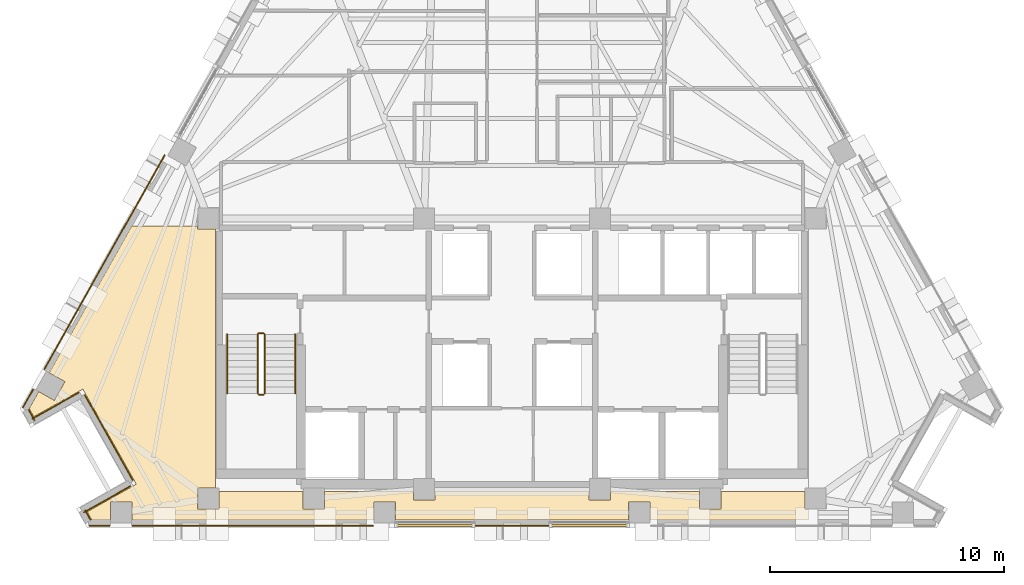
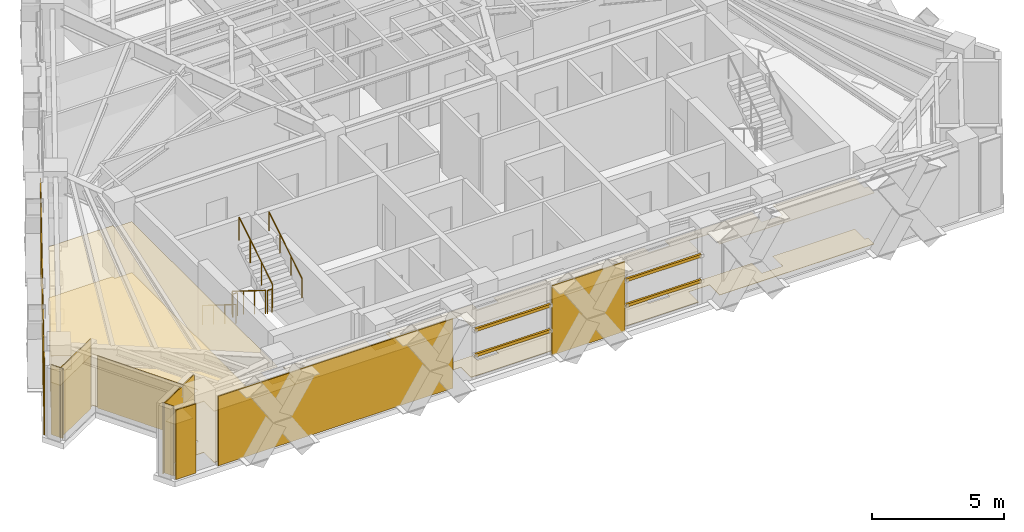
# One storey, part 12 of 15: 14 coverings, 6 railings, 4 shading devices.
"""IFC4 building model written with IfcOpenShell, lengths in metres."""

from ifc_helpers import new_model, si_unit, direction, frame, origin, origin_2d, place, context, subcontext, project, spatial, polyline, rectangle, circle, outline, extrude, material, layer, layer_set, material_profile, profile_set, type_object, element, save


model = new_model("IFC4")

# Units and contexts
model_context = context("Model", 3, precision=1e-05, world=origin(), true_north=direction((0.0, 1.0)))
body_context = subcontext(model_context, "Body", "Model", "MODEL_VIEW")
ifc_project = project(units=[si_unit("LENGTHUNIT", "METRE"), si_unit("AREAUNIT", "SQUARE_METRE"), si_unit("VOLUMEUNIT", "CUBIC_METRE"), si_unit("PLANEANGLEUNIT", "RADIAN"), si_unit("MASSUNIT", "GRAM", prefix="KILO")], contexts=[model_context])

# Site, building, storey
site_placement = place(None, origin())
site = spatial("IfcSite", under=ifc_project, at=site_placement, CompositionType="ELEMENT")
building_placement = place(site_placement, origin())
building = spatial("IfcBuilding", under=site, at=building_placement, Name="Quenlor Broadcast Tower", CompositionType="ELEMENT")
storey_placement = place(building_placement, frame((0.0, 0.0, 183.39990234375)))
storey = spatial("IfcBuildingStorey", under=building, at=storey_placement, Name="L50", CompositionType="ELEMENT", Elevation=183.39990234375)

# Coverings
ifc_material_1 = material(Name="Acoustic Mineral Fibre Board", Category="other")
ifc_layer_1 = layer(ifc_material_1, 0.02490234375)
ifc_layer_set_1 = layer_set([ifc_layer_1], Name="Acoustic Perforated Mineral Tile Ceiling 25")
covering_type_1 = type_object("IfcCoveringType", Name="Acoustic Perforated Mineral Tile Ceiling 25", PredefinedType="CEILING", material=ifc_layer_set_1)
covering_1_placement = place(storey_placement, frame((0.0, 0.0, 2.359130859375)))
element("IfcCovering", 1, at=covering_1_placement, inside=storey, type_object=covering_type_1, Name="L50 Acoustic Ceiling L50-36-3", PredefinedType="CEILING", context=body_context, shape_type="SweptSolid", body=[
    extrude(outline(polyline([(-20.400390625, -13.26318359375), (-20.597900390625, -12.912109375), (-20.191162109375, -12.18896484375), (-19.52197265625, -12.5654296875), (-19.07275390625, -11.76708984375), (-19.7421875, -11.390625), (-16.21484375, -5.1201171875), (-13.407958984375, -5.1201171875), (-13.407958984375, -5.258056640625), (-12.64990234375, -5.258056640625), (-12.64990234375, -16.2919921875), (-13.407958984375, -16.2919921875), (-13.407958984375, -17.2080078125), (-12.64990234375, -17.2080078125), (-12.64990234375, -17.659912109375), (-16.218017578125, -17.659912109375), (-16.218017578125, -16.89208984375), (-17.1337890625, -16.89208984375), (-17.1337890625, -17.659912109375), (-17.927001953125, -17.659912109375), (-18.120849609375, -17.315673828125), (-16.029052734375, -16.138916015625), (-18.30859375, -12.08642578125), (-20.400390625, -13.26318359375)])), origin(), (0.0, 0.0, 1.0), 0.02490234375),
])
covering_2_placement = place(storey_placement, frame((0.0, 0.0, 2.359130859375)))
element("IfcCovering", 2, at=covering_2_placement, inside=storey, type_object=covering_type_1, Name="L50 Acoustic Ceiling L50-36-5", PredefinedType="CEILING", context=body_context, shape_type="SweptSolid", body=[
    extrude(outline(polyline([(-12.491943359375, -17.2080078125), (-12.491943359375, -16.449951171875), (-8.907958984375, -16.449951171875), (-8.907958984375, -17.2080078125), (-7.991943359375, -17.2080078125), (-7.991943359375, -16.449951171875), (-4.2080078125, -16.449951171875), (-4.2080078125, -16.80810546875), (-3.2919921875, -16.80810546875), (-3.2919921875, -16.449951171875), (3.2919921875, -16.449951171875), (3.2919921875, -16.80810546875), (4.2080078125, -16.80810546875), (4.2080078125, -16.449951171875), (7.991943359375, -16.449951171875), (7.991943359375, -17.2080078125), (8.907958984375, -17.2080078125), (8.907958984375, -16.449951171875), (12.491943359375, -16.449951171875), (12.491943359375, -17.2080078125), (12.64990234375, -17.2080078125), (12.64990234375, -17.659912109375), (5.895751953125, -17.659912109375), (5.895751953125, -16.89208984375), (4.979736328125, -16.89208984375), (4.979736328125, -17.659912109375), (-4.979736328125, -17.659912109375), (-4.979736328125, -16.89208984375), (-5.895751953125, -16.89208984375), (-5.895751953125, -17.659912109375), (-12.64990234375, -17.659912109375), (-12.64990234375, -17.2080078125), (-12.491943359375, -17.2080078125)])), origin(), (0.0, 0.0, 1.0), 0.02490234375),
])

# Shading devices
ifc_material_2 = material(Name="Architectural Terracotta Ceramic", Category="masonry")
ifc_material_profile = material_profile(ifc_material_2, rectangle(XDim=0.090087890625, YDim=0.139892578125, at=origin_2d()))
ifc_profile_set = profile_set([ifc_material_profile], Name="Architectural Terracotta Ceramic BAG90x140")
shading_device_type = type_object("IfcShadingDeviceType", Name="Copper Terracotta Baguette Solar Screen 140", PredefinedType="USERDEFINED", material=ifc_profile_set)
for number, where, z_axis, x_axis, name in (
    (3, (4.933837890625, -17.89794921875, 1.170166015625), (-1.0, 0.0, 0.0), (0.0, -1.0, 0.0), "L50 Terracotta Baguette Screen 1"),
    (4, (4.933837890625, -17.89794921875, 2.340087890625), (-1.0, 0.0, 0.0), (0.0, -1.0, 0.0), "L50 Terracotta Baguette Screen 2"),
    (5, (-1.655029296875, -17.89794921875, 1.170166015625), (-1.0, 0.0, 0.0), (0.0, -1.0, 0.0), "L50 Terracotta Baguette Screen 1"),
    (6, (-1.655029296875, -17.89794921875, 2.340087890625), (-1.0, 0.0, 0.0), (0.0, -1.0, 0.0), "L50 Terracotta Baguette Screen 2"),
):
    element("IfcShadingDevice", number, at=place(storey_placement, frame(where, z_axis=z_axis, x_axis=x_axis)), inside=storey, type_object=shading_device_type, Name=name, ObjectType="BAGUETTE", PredefinedType="USERDEFINED", context=body_context, shape_type="SweptSolid", body=[
        extrude(rectangle(XDim=0.090087890625, YDim=0.139892578125, at=origin_2d()), origin(), (0.0, 0.0, 1.0), 3.27880859375),
    ])

# Coverings
ifc_material_3 = material(Name="Architectural Terracotta Ceramic", Category="masonry")
ifc_layer_2 = layer(ifc_material_3, 0.044921875)
ifc_layer_set_2 = layer_set([ifc_layer_2], Name="Fluted Terracotta Rainscreen Cladding Panel")
covering_type_2 = type_object("IfcCoveringType", Name="Fluted Terracotta Rainscreen Cladding Panel", PredefinedType="CLADDING", material=ifc_layer_set_2)
covering_3_placement = place(storey_placement, frame((0.0, 0.0, 0.02001953125)))
element("IfcCovering", 7, at=covering_3_placement, inside=storey, type_object=covering_type_2, Name="L50 Terracotta Rainscreen Cladding L50-SHD-SS1", PredefinedType="CLADDING", context=body_context, shape_type="SweptSolid", body=[
    extrude(outline(polyline([(-17.160888671875, -17.886962890625), (-18.035888671875, -17.886962890625), (-18.035888671875, -17.931884765625), (-17.160888671875, -17.931884765625), (-17.160888671875, -17.886962890625)])), origin(), (0.0, 0.0, 1.0), 3.2099609375),
])
covering_4_placement = place(storey_placement, frame((0.0, 0.0, 0.02001953125)))
element("IfcCovering", 8, at=covering_4_placement, inside=storey, type_object=covering_type_2, Name="L50 Terracotta Rainscreen Cladding L50-EW-SC", PredefinedType="CLADDING", context=body_context, shape_type="SweptSolid", body=[
    extrude(outline(polyline([(-5.9228515625, -17.89697265625), (-16.19091796875, -17.89697265625), (-16.19091796875, -17.94189453125), (-5.9228515625, -17.94189453125), (-5.9228515625, -17.89697265625)])), origin(), (0.0, 0.0, 1.0), 3.2099609375),
])
covering_5_placement = place(storey_placement, frame((0.0, 0.0, 0.02001953125)))
element("IfcCovering", 9, at=covering_5_placement, inside=storey, type_object=covering_type_2, Name="L50 Terracotta Rainscreen Cladding L50-S-SP1", PredefinedType="CLADDING", context=body_context, shape_type="SweptSolid", body=[
    extrude(outline(polyline([(1.591064453125, -17.89697265625), (-1.591064453125, -17.89697265625), (-1.591064453125, -17.94189453125), (1.591064453125, -17.94189453125), (1.591064453125, -17.89697265625)])), origin(), (0.0, 0.0, 1.0), 3.2099609375),
])
covering_6_placement = place(storey_placement, frame((0.0, 0.0, 0.02001953125)))
element("IfcCovering", 10, at=covering_6_placement, inside=storey, type_object=covering_type_2, Name="L50 Terracotta Rainscreen Cladding L50-SHD-NWS0", PredefinedType="CLADDING", context=body_context, shape_type="SweptSolid", body=[
    extrude(outline(polyline([(-20.845458984375, -12.888916015625), (-20.402099609375, -12.10107421875), (-20.44140625, -12.0791015625), (-20.884521484375, -12.866943359375), (-20.845458984375, -12.888916015625)])), origin(), (0.0, 0.0, 1.0), 3.2099609375),
])
covering_7_placement = place(storey_placement, frame((0.0, 0.0, 0.02001953125)))
element("IfcCovering", 11, at=covering_7_placement, inside=storey, type_object=covering_type_2, Name="L50 Terracotta Rainscreen Cladding L50-EW-NWA", PredefinedType="CLADDING", context=body_context, shape_type="SweptSolid", body=[
    extrude(outline(polyline([(-19.935302734375, -11.250732421875), (-14.7919921875, -2.106689453125), (-14.831298828125, -2.084716796875), (-19.974609375, -11.228759765625), (-19.935302734375, -11.250732421875)])), origin(), (0.0, 0.0, 1.0), 3.2099609375),
])
covering_8_placement = place(storey_placement, frame((0.0, 0.0, 0.02001953125)))
element("IfcCovering", 12, at=covering_8_placement, inside=storey, type_object=covering_type_2, Name="L50 Terracotta Rainscreen Cladding L50-CNR-12", PredefinedType="CLADDING", context=body_context, shape_type="SweptSolid", body=[
    extrude(outline(polyline([(-20.64306640625, -12.970458984375), (-20.38623046875, -13.427001953125), (-20.346923828125, -13.405029296875), (-20.60400390625, -12.948486328125), (-20.64306640625, -12.970458984375)])), origin(), (0.0, 0.0, 1.0), 3.2099609375),
])
covering_9_placement = place(storey_placement, frame((0.0, 0.0, 0.02001953125)))
element("IfcCovering", 13, at=covering_9_placement, inside=storey, type_object=covering_type_2, Name="L50 Terracotta Rainscreen Cladding L50-CNR-13", PredefinedType="CLADDING", context=body_context, shape_type="SweptSolid", body=[
    extrude(outline(polyline([(-20.462890625, -13.376220703125), (-18.45849609375, -12.248779296875), (-18.48046875, -12.20947265625), (-20.485107421875, -13.337158203125), (-20.462890625, -13.376220703125)])), origin(), (0.0, 0.0, 1.0), 3.2099609375),
])
covering_10_placement = place(storey_placement, frame((0.0, 0.0, 0.02001953125)))
element("IfcCovering", 14, at=covering_10_placement, inside=storey, type_object=covering_type_2, Name="L50 Terracotta Rainscreen Cladding L50-CNR-14", PredefinedType="CLADDING", context=body_context, shape_type="SweptSolid", body=[
    extrude(outline(polyline([(-18.245361328125, -12.337646484375), (-16.19140625, -15.9892578125), (-16.152099609375, -15.96728515625), (-18.206298828125, -12.315673828125), (-18.245361328125, -12.337646484375)])), origin(), (0.0, 0.0, 1.0), 2.39404296875),
])
covering_11_placement = place(storey_placement, frame((0.0, 0.0, 0.02001953125)))
element("IfcCovering", 15, at=covering_11_placement, inside=storey, type_object=covering_type_2, Name="L50 Terracotta Rainscreen Cladding L50-CNR-15", PredefinedType="CLADDING", context=body_context, shape_type="SweptSolid", body=[
    extrude(outline(polyline([(-16.2802734375, -16.2021484375), (-18.284912109375, -17.329833984375), (-18.262939453125, -17.368896484375), (-16.25830078125, -16.241455078125), (-16.2802734375, -16.2021484375)])), origin(), (0.0, 0.0, 1.0), 3.2099609375),
])
covering_12_placement = place(storey_placement, frame((0.0, 0.0, 0.02001953125)))
element("IfcCovering", 16, at=covering_12_placement, inside=storey, type_object=covering_type_2, Name="L50 Terracotta Rainscreen Cladding L50-CNR-16", PredefinedType="CLADDING", context=body_context, shape_type="SweptSolid", body=[
    extrude(outline(polyline([(-18.234130859375, -17.2529296875), (-17.99853515625, -17.671875), (-17.959228515625, -17.64990234375), (-18.19482421875, -17.23095703125), (-18.234130859375, -17.2529296875)])), origin(), (0.0, 0.0, 1.0), 3.2099609375),
])
ifc_material_4 = material(Name="Terrazzo Stone Finish", Category="masonry")
ifc_layer_3 = layer(ifc_material_4, 0.02001953125)
ifc_layer_set_3 = layer_set([ifc_layer_3], Name="Polished Sandstone Terrazzo Flooring 20")
covering_type_3 = type_object("IfcCoveringType", Name="Polished Sandstone Terrazzo Flooring 20", PredefinedType="FLOORING", material=ifc_layer_set_3)
covering_13_placement = place(storey_placement, origin())
element("IfcCovering", 17, at=covering_13_placement, inside=storey, type_object=covering_type_3, Name="L50 Terrazzo Flooring L50-36-3", PredefinedType="FLOORING", context=body_context, shape_type="SweptSolid", body=[
    extrude(outline(polyline([(-20.400390625, -13.26318359375), (-20.597900390625, -12.912109375), (-20.191162109375, -12.18896484375), (-19.52197265625, -12.5654296875), (-19.07275390625, -11.76708984375), (-19.7421875, -11.390625), (-16.21484375, -5.1201171875), (-13.407958984375, -5.1201171875), (-13.407958984375, -5.258056640625), (-12.64990234375, -5.258056640625), (-12.64990234375, -16.2919921875), (-13.407958984375, -16.2919921875), (-13.407958984375, -17.2080078125), (-12.64990234375, -17.2080078125), (-12.64990234375, -17.659912109375), (-16.218017578125, -17.659912109375), (-16.218017578125, -16.89208984375), (-17.1337890625, -16.89208984375), (-17.1337890625, -17.659912109375), (-17.927001953125, -17.659912109375), (-18.120849609375, -17.315673828125), (-16.029052734375, -16.138916015625), (-18.30859375, -12.08642578125), (-20.400390625, -13.26318359375)])), origin(), (0.0, 0.0, 1.0), 0.02001953125),
])
covering_14_placement = place(storey_placement, origin())
element("IfcCovering", 18, at=covering_14_placement, inside=storey, type_object=covering_type_3, Name="L50 Terrazzo Flooring L50-36-5", PredefinedType="FLOORING", context=body_context, shape_type="SweptSolid", body=[
    extrude(outline(polyline([(-12.491943359375, -17.2080078125), (-12.491943359375, -16.449951171875), (-8.907958984375, -16.449951171875), (-8.907958984375, -17.2080078125), (-7.991943359375, -17.2080078125), (-7.991943359375, -16.449951171875), (-4.2080078125, -16.449951171875), (-4.2080078125, -16.80810546875), (-3.2919921875, -16.80810546875), (-3.2919921875, -16.449951171875), (3.2919921875, -16.449951171875), (3.2919921875, -16.80810546875), (4.2080078125, -16.80810546875), (4.2080078125, -16.449951171875), (7.991943359375, -16.449951171875), (7.991943359375, -17.2080078125), (8.907958984375, -17.2080078125), (8.907958984375, -16.449951171875), (12.491943359375, -16.449951171875), (12.491943359375, -17.2080078125), (12.64990234375, -17.2080078125), (12.64990234375, -17.659912109375), (5.895751953125, -17.659912109375), (5.895751953125, -16.89208984375), (4.979736328125, -16.89208984375), (4.979736328125, -17.659912109375), (-4.979736328125, -17.659912109375), (-4.979736328125, -16.89208984375), (-5.895751953125, -16.89208984375), (-5.895751953125, -17.659912109375), (-12.64990234375, -17.659912109375), (-12.64990234375, -17.2080078125), (-12.491943359375, -17.2080078125)])), origin(), (0.0, 0.0, 1.0), 0.02001953125),
])

# Railings
ifc_material_5 = material(Name="Anodised Aluminium", Category="aluminium")
railing_type_1 = type_object("IfcRailingType", Name="Stainless Aluminium Wall Handrail 900", PredefinedType="HANDRAIL", material=ifc_material_5)
railing_1_placement = place(storey_placement, frame((-12.14990234375, -9.75, 0.175048828125)))
element("IfcRailing", 19, at=railing_1_placement, inside=storey, type_object=railing_type_1, Name="L50 ST-1 stair handrail 1", PredefinedType="HANDRAIL", context=body_context, shape_type="SweptSolid", body=[
    extrude(circle(Radius=0.02392578125, at=origin_2d()), frame((0.0, 0.0, 0.8759765625), z_axis=(0.0, -0.848007534815, 0.529984170421), x_axis=(1.0, 0.0, 0.0)), (0.0, 0.0, 1.0), 2.9716796875),
    extrude(circle(Radius=0.02099609375, at=origin_2d()), origin(), (0.0, 0.0, 1.0), 0.851806640625),
    extrude(circle(Radius=0.02099609375, at=origin_2d()), frame((0.0, -0.840087890625, 0.52490234375)), (0.0, 0.0, 1.0), 0.851806640625),
    extrude(circle(Radius=0.02099609375, at=origin_2d()), frame((0.0, -1.679931640625, 1.050048828125)), (0.0, 0.0, 1.0), 0.851806640625),
    extrude(circle(Radius=0.02099609375, at=origin_2d()), frame((0.0, -2.52001953125, 1.574951171875)), (0.0, 0.0, 1.0), 0.851806640625),
])
railing_2_placement = place(storey_placement, frame((-9.25, -12.27001953125, 1.925048828125)))
element("IfcRailing", 20, at=railing_2_placement, inside=storey, type_object=railing_type_1, Name="L50 ST-1 stair handrail 2", PredefinedType="HANDRAIL", context=body_context, shape_type="SweptSolid", body=[
    extrude(circle(Radius=0.02392578125, at=origin_2d()), frame((0.0, 0.0, 0.8759765625), z_axis=(0.0, 0.848007534815, 0.529984170421), x_axis=(-1.0, 0.0, 0.0)), (0.0, 0.0, 1.0), 2.9716796875),
    extrude(circle(Radius=0.02099609375, at=origin_2d()), origin(), (0.0, 0.0, 1.0), 0.851806640625),
    extrude(circle(Radius=0.02099609375, at=origin_2d()), frame((0.0, 0.840087890625, 0.52490234375)), (0.0, 0.0, 1.0), 0.851806640625),
    extrude(circle(Radius=0.02099609375, at=origin_2d()), frame((0.0, 1.679931640625, 1.050048828125)), (0.0, 0.0, 1.0), 0.851806640625),
    extrude(circle(Radius=0.02099609375, at=origin_2d()), frame((0.0, 2.52001953125, 1.574951171875)), (0.0, 0.0, 1.0), 0.851806640625),
])
ifc_material_6 = material(Name="Steel S355", Category="steel")
railing_type_2 = type_object("IfcRailingType", Name="Tubular Steel S355 Stair Guardrail 1100", PredefinedType="BALUSTRADE", material=ifc_material_6)
railing_3_placement = place(storey_placement, frame((-10.85009765625, -9.75, 0.175048828125)))
element("IfcRailing", 21, at=railing_3_placement, inside=storey, type_object=railing_type_2, Name="L50 ST-1 stair guard 1", PredefinedType="BALUSTRADE", context=body_context, shape_type="SweptSolid", body=[
    extrude(circle(Radius=0.02392578125, at=origin_2d()), frame((0.0, 0.0, 1.076171875), z_axis=(0.0, -0.848007534815, 0.529984170421), x_axis=(1.0, 0.0, 0.0)), (0.0, 0.0, 1.0), 2.9716796875),
    extrude(circle(Radius=0.02099609375, at=origin_2d()), origin(), (0.0, 0.0, 1.0), 1.052001953125),
    extrude(circle(Radius=0.02099609375, at=origin_2d()), frame((0.0, -0.840087890625, 0.52490234375)), (0.0, 0.0, 1.0), 1.052001953125),
    extrude(circle(Radius=0.02099609375, at=origin_2d()), frame((0.0, -1.679931640625, 1.050048828125)), (0.0, 0.0, 1.0), 1.052001953125),
    extrude(circle(Radius=0.02099609375, at=origin_2d()), frame((0.0, -2.52001953125, 1.574951171875)), (0.0, 0.0, 1.0), 1.052001953125),
])
railing_4_placement = place(storey_placement, frame((-10.800048828125, -12.320068359375, 1.75)))
element("IfcRailing", 22, at=railing_4_placement, inside=storey, type_object=railing_type_2, Name="L50 ST-1 stair guard 2", PredefinedType="BALUSTRADE", context=body_context, shape_type="SweptSolid", body=[
    extrude(circle(Radius=0.02392578125, at=origin_2d()), frame((0.0, 0.0, 1.076171875), z_axis=(1.0, 0.0, 0.0), x_axis=(0.0, 1.0, 0.0)), (0.0, 0.0, 1.0), 0.199951171875),
    extrude(circle(Radius=0.02099609375, at=origin_2d()), origin(), (0.0, 0.0, 1.0), 1.052001953125),
    extrude(circle(Radius=0.02099609375, at=origin_2d()), frame((0.199951171875, 0.0, 0.0)), (0.0, 0.0, 1.0), 1.052001953125),
])
railing_5_placement = place(storey_placement, frame((-10.550048828125, -12.27001953125, 1.925048828125)))
element("IfcRailing", 23, at=railing_5_placement, inside=storey, type_object=railing_type_2, Name="L50 ST-1 stair guard 3", PredefinedType="BALUSTRADE", context=body_context, shape_type="SweptSolid", body=[
    extrude(circle(Radius=0.02392578125, at=origin_2d()), frame((0.0, 0.0, 1.076171875), z_axis=(0.0, 0.848007534815, 0.529984170421), x_axis=(-1.0, 0.0, 0.0)), (0.0, 0.0, 1.0), 2.9716796875),
    extrude(circle(Radius=0.02099609375, at=origin_2d()), origin(), (0.0, 0.0, 1.0), 1.052001953125),
    extrude(circle(Radius=0.02099609375, at=origin_2d()), frame((0.0, 0.840087890625, 0.52490234375)), (0.0, 0.0, 1.0), 1.052001953125),
    extrude(circle(Radius=0.02099609375, at=origin_2d()), frame((0.0, 1.679931640625, 1.050048828125)), (0.0, 0.0, 1.0), 1.052001953125),
    extrude(circle(Radius=0.02099609375, at=origin_2d()), frame((0.0, 2.52001953125, 1.574951171875)), (0.0, 0.0, 1.0), 1.052001953125),
])
railing_6_placement = place(storey_placement, frame((-10.800048828125, -9.699951171875, 0.0)))
element("IfcRailing", 24, at=railing_6_placement, inside=storey, type_object=railing_type_2, Name="L50 ST-1 stair guard 4", PredefinedType="BALUSTRADE", context=body_context, shape_type="SweptSolid", body=[
    extrude(circle(Radius=0.02392578125, at=origin_2d()), frame((0.0, 0.0, 1.076171875), z_axis=(1.0, 0.0, 0.0), x_axis=(0.0, 1.0, 0.0)), (0.0, 0.0, 1.0), 0.199951171875),
    extrude(circle(Radius=0.02099609375, at=origin_2d()), origin(), (0.0, 0.0, 1.0), 1.052001953125),
    extrude(circle(Radius=0.02099609375, at=origin_2d()), frame((0.199951171875, 0.0, 0.0)), (0.0, 0.0, 1.0), 1.052001953125),
])

save(model, "model.ifc")
